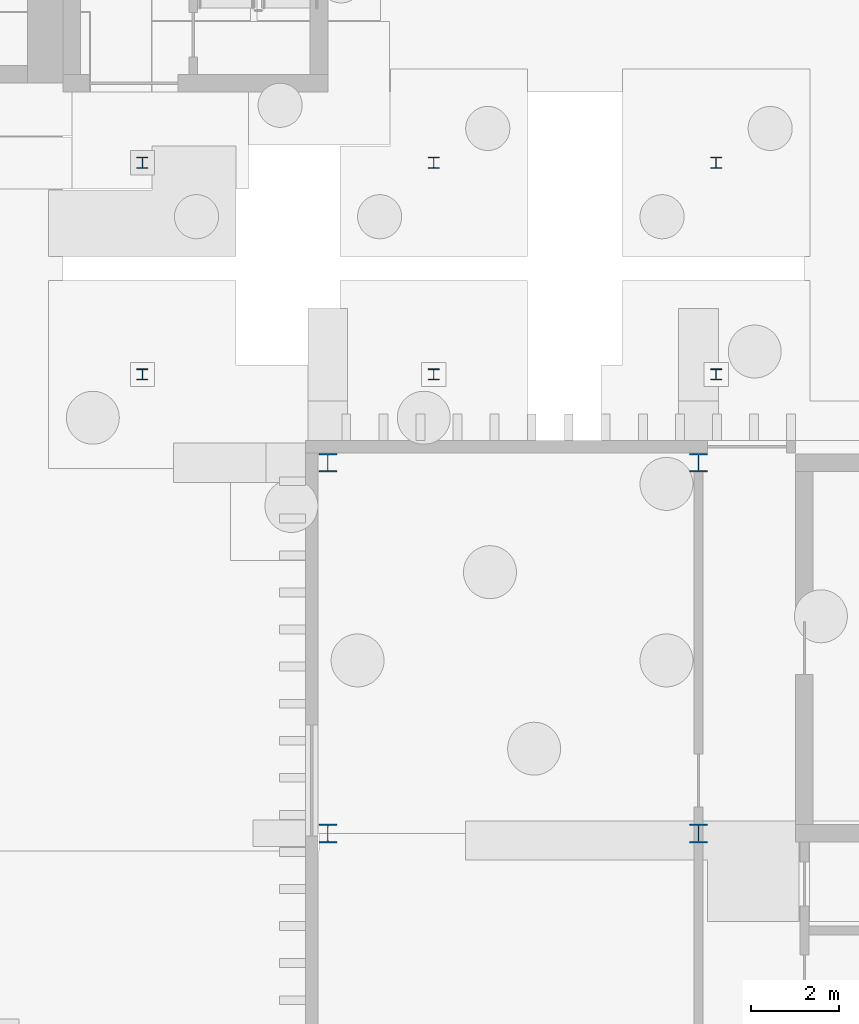
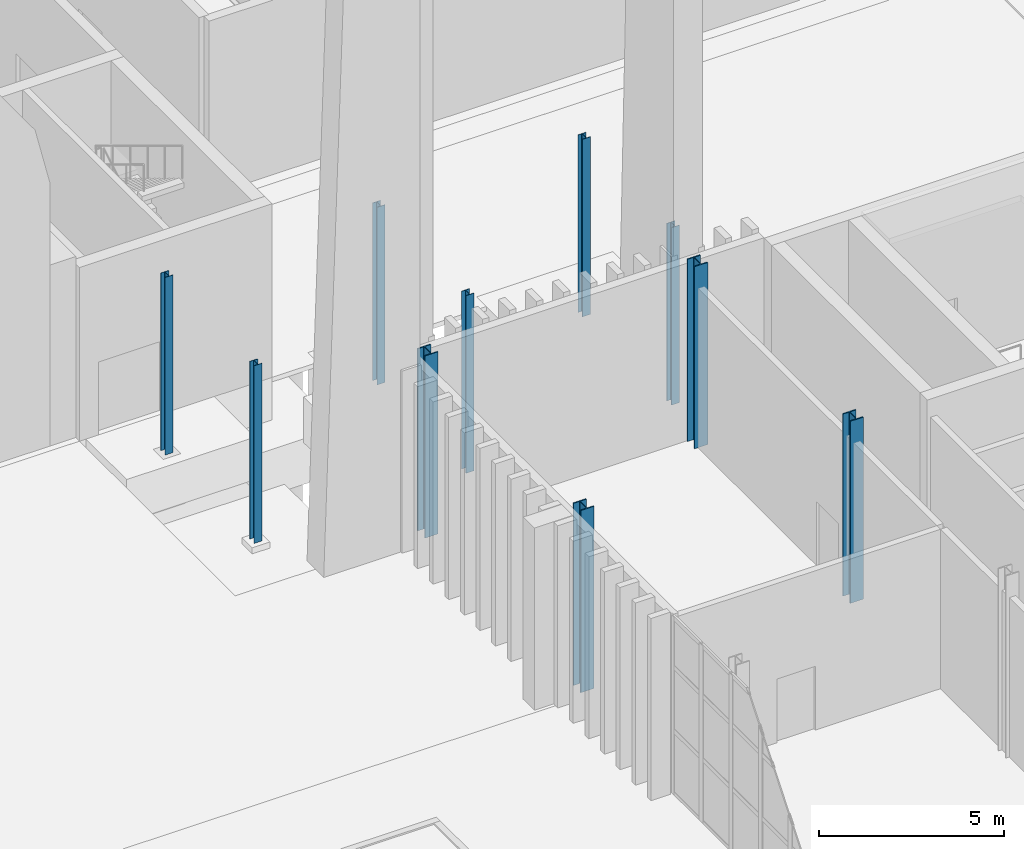
# One storey, part 33 of 108: 10 columns.
"""IFC4 building model written with IfcOpenShell, lengths in metres."""

from ifc_helpers import new_model, si_unit, direction, frame, origin, origin_2d, place, context, subcontext, project, spatial, i_section, extrude, material, material_profile, profile_set, type_object, element, save


model = new_model("IFC4")

# Units and contexts
model_context = context("Model", 3, precision=1e-05, world=origin(), true_north=direction((0.0, 1.0)))
body_context = subcontext(model_context, "Body", "Model", "MODEL_VIEW")
ifc_project = project(units=[si_unit("LENGTHUNIT", "METRE"), si_unit("AREAUNIT", "SQUARE_METRE"), si_unit("VOLUMEUNIT", "CUBIC_METRE"), si_unit("PLANEANGLEUNIT", "RADIAN"), si_unit("MASSUNIT", "GRAM", prefix="KILO")], contexts=[model_context])

# Site, building, storey
site_placement = place(None, origin())
site = spatial("IfcSite", under=ifc_project, at=site_placement, CompositionType="ELEMENT")
building_placement = place(site_placement, origin())
building = spatial("IfcBuilding", under=site, at=building_placement, Name="Cresset Court Congress Hotel", CompositionType="ELEMENT")
storey_placement = place(building_placement, origin())
storey = spatial("IfcBuildingStorey", under=building, at=storey_placement, Name="L00", CompositionType="ELEMENT", Elevation=0.0)

# Columns
ifc_material_1 = material(Name="Structural steel Q355B", Category="steel")
ifc_material_profile_1 = material_profile(ifc_material_1, i_section(OverallWidth=0.25, OverallDepth=0.25, WebThickness=0.009033203125, FlangeThickness=0.013916015625, FilletRadius=0.012939453125, at=origin_2d()), Name="HW250x250x9x14")
ifc_profile_set_1 = profile_set([ifc_material_profile_1], Name="Structural steel Q355B")
column_type_1 = type_object("IfcColumnType", Name="Steel column HW250x250x9x14", PredefinedType="COLUMN", material=ifc_profile_set_1)
for number, where, z_axis, x_axis, name in (
    (1, (153.0, 69.199951171875, 0.0), (0.0, 0.0, 1.0), (1.0, 0.0, 0.0), "Link column 11"),
    (2, (153.0, 74.0, 0.0), (0.0, 0.0, 1.0), (1.0, 0.0, 0.0), "Link column 12"),
    (3, (159.60009765625, 69.199951171875, 0.0), (0.0, 0.0, 1.0), (1.0, 0.0, 0.0), "Link column 21"),
    (4, (159.60009765625, 74.0, 0.0), (0.0, 0.0, 1.0), (1.0, 0.0, 0.0), "Link column 22"),
    (5, (166.0, 69.199951171875, 0.0), (0.0, 0.0, 1.0), (1.0, 0.0, 0.0), "Link column 31"),
    (6, (166.0, 74.0, 0.0), (0.0, 0.0, 1.0), (1.0, 0.0, 0.0), "Link column 32"),
):
    element("IfcColumn", number, at=place(storey_placement, frame(where, z_axis=z_axis, x_axis=x_axis)), inside=storey, type_object=column_type_1, Name=name, PredefinedType="COLUMN", context=body_context, shape_type="SweptSolid", body=[
        extrude(i_section(OverallWidth=0.25, OverallDepth=0.25, WebThickness=0.009033203125, FlangeThickness=0.013916015625, FilletRadius=0.012939453125, at=origin_2d()), origin(), (0.0, 0.0, 1.0), 5.85009765625),
    ])
ifc_material_2 = material(Name="Structural steel Q355B", Category="steel")
ifc_material_profile_2 = material_profile(ifc_material_2, i_section(OverallWidth=0.406982421875, OverallDepth=0.427978515625, WebThickness=0.02001953125, FlangeThickness=0.034912109375, FilletRadius=0.02197265625, at=origin_2d()), Name="HW428x407x20x35")
ifc_profile_set_2 = profile_set([ifc_material_profile_2], Name="Structural steel Q355B")
column_type_2 = type_object("IfcColumnType", Name="Steel column HW428x407x20x35", PredefinedType="COLUMN", material=ifc_profile_set_2)
for number, where, z_axis, x_axis, name in (
    (7, (157.199951171875, 58.800048828125, 0.0), (0.0, 0.0, 1.0), (1.0, 0.0, 0.0), "Column L00 8-20"),
    (8, (157.199951171875, 67.199951171875, 0.0), (0.0, 0.0, 1.0), (1.0, 0.0, 0.0), "Column L00 9-20"),
    (9, (165.60009765625, 58.800048828125, 0.0), (0.0, 0.0, 1.0), (1.0, 0.0, 0.0), "Column L00 8-21"),
    (10, (165.60009765625, 67.199951171875, 0.0), (0.0, 0.0, 1.0), (1.0, 0.0, 0.0), "Column L00 9-21"),
):
    element("IfcColumn", number, at=place(storey_placement, frame(where, z_axis=z_axis, x_axis=x_axis)), inside=storey, type_object=column_type_2, Name=name, PredefinedType="COLUMN", context=body_context, shape_type="SweptSolid", body=[
        extrude(i_section(OverallWidth=0.406982421875, OverallDepth=0.427978515625, WebThickness=0.02001953125, FlangeThickness=0.034912109375, FilletRadius=0.02197265625, at=origin_2d()), origin(), (0.0, 0.0, 1.0), 6.0),
    ])

save(model, "model.ifc")
